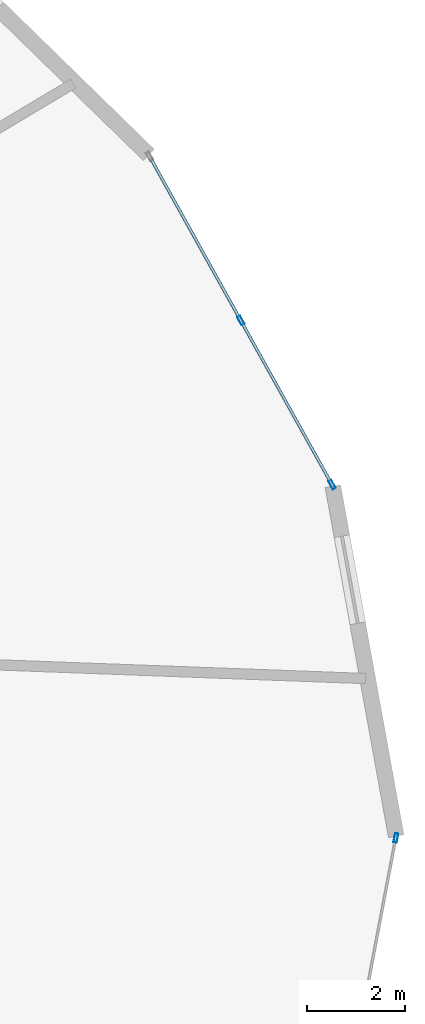
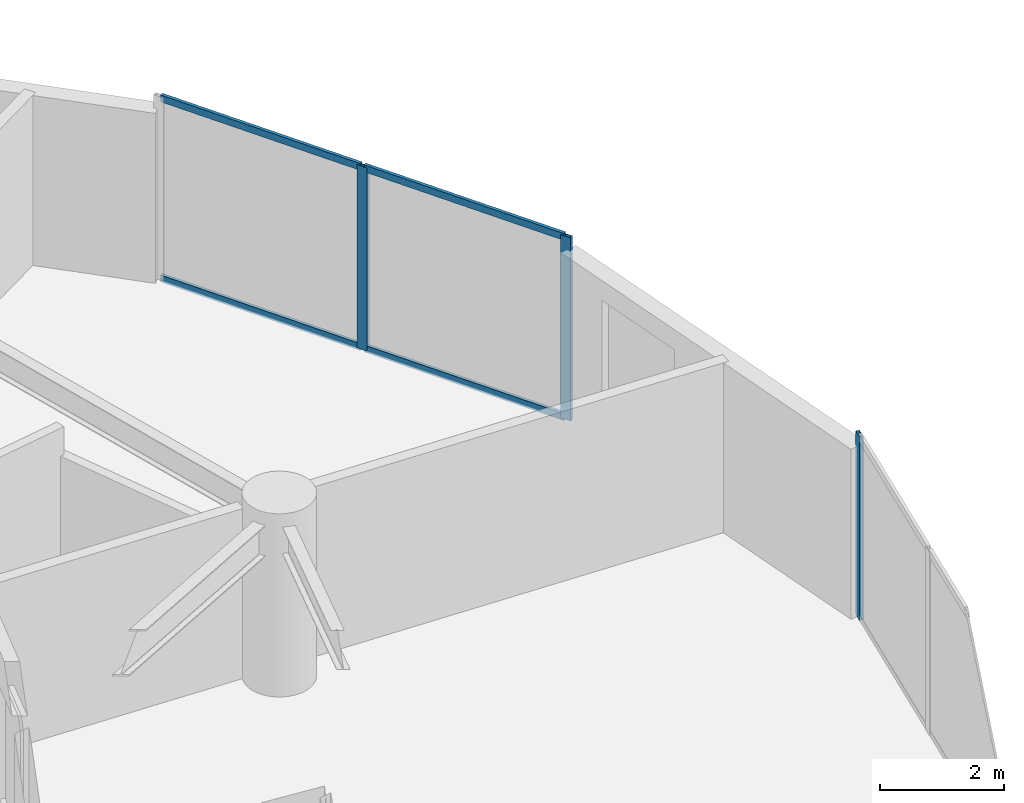
# One storey, part 9 of 22: 7 members, 2 elements without a shape of their own.
"""IFC4 building model written with IfcOpenShell, lengths in metres."""

import ifcopenshell
import ifcopenshell.guid

model = None  # the IFC model being written
_history = None  # IfcOwnerHistory: only IFC2X3 demands one
_inside = {}  # id of a spatial element -> (the spatial element, [elements in it])
_under = {}  # id of a project, library or spatial element -> (it, [spatial elements below it])
_declared = {}  # id of a project -> (the project, [libraries it declares])
_typed = {}  # id of a type object -> (the type object, [elements of that type])
_made_of = {}  # id of a material, layer set ... -> (it, [elements and type objects made of it])


def new_model(schema):
    """Start an empty IFC model of exactly this schema.

    Asked for "IFC4X3", IfcOpenShell would pick the latest addendum, in which some entities
    have other attributes; the version numbers below select the first issue.
    IFC2X3 requires an IfcOwnerHistory on every rooted entity: one is made here for all.
    """
    global model, _history
    if schema == "IFC4X3":
        model = ifcopenshell.file(schema_version=(4, 3, 0, 0))
    else:
        model = ifcopenshell.file(schema=schema)
    _inside.clear()
    _under.clear()
    _declared.clear()
    _typed.clear()
    _made_of.clear()
    _history = None
    if model.schema == "IFC2X3":
        org = make("IfcOrganization", Name="unknown")
        user = make(
            "IfcPersonAndOrganization",
            ThePerson=make("IfcPerson", FamilyName="unknown"),
            TheOrganization=org,
        )
        app = make(
            "IfcApplication",
            ApplicationDeveloper=org,
            Version="unknown",
            ApplicationFullName="unknown",
            ApplicationIdentifier="unknown",
        )
        _history = make(
            "IfcOwnerHistory",
            OwningUser=user,
            OwningApplication=app,
            ChangeAction="ADDED",
            CreationDate=0,
        )
    return model


def make(cls, **values):
    """One entity of the class cls with the attributes given. An attribute that is None is left unset."""
    return model.create_entity(
        cls, **{name: value for name, value in values.items() if value is not None}
    )


def rooted(cls, **values):
    """An entity with a GlobalId (a new one), such as an element, a storey or a relation."""
    return make(cls, GlobalId=ifcopenshell.guid.new(), OwnerHistory=_history, **values)


def si_unit(unit_type, name, prefix=None):
    """IfcSIUnit, for example si_unit("LENGTHUNIT", "METRE", prefix="MILLI")."""
    return make("IfcSIUnit", UnitType=unit_type, Prefix=prefix, Name=name)


def assignment(units):
    """IfcUnitAssignment: the units of a project."""
    return None if units is None else make("IfcUnitAssignment", Units=units)


def point(xyz):
    """IfcCartesianPoint."""
    return None if xyz is None else make("IfcCartesianPoint", Coordinates=xyz)


def direction(xyz):
    """IfcDirection."""
    return None if xyz is None else make("IfcDirection", DirectionRatios=xyz)


def frame(location, z_axis=None, x_axis=None):
    """IfcAxis2Placement3D, a coordinate frame: its origin and axes. An axis left out is left unset."""
    return make(
        "IfcAxis2Placement3D",
        Location=point(location),
        Axis=direction(z_axis),
        RefDirection=direction(x_axis),
    )


def frame_2d(location, x_axis=None):
    """IfcAxis2Placement2D, a coordinate frame in the plane: its origin and x axis."""
    return make(
        "IfcAxis2Placement2D", Location=point(location), RefDirection=direction(x_axis)
    )


def origin():
    """The frame at (0, 0, 0) with its axes left unset."""
    return frame((0.0, 0.0, 0.0))


def origin_2d():
    """The frame at (0, 0) in the plane with its x axis left unset."""
    return frame_2d((0.0, 0.0))


def place(relative_to, where):
    """IfcLocalPlacement: puts the frame where relative to a parent placement (None: the world)."""
    return make(
        "IfcLocalPlacement", PlacementRelTo=relative_to, RelativePlacement=where
    )


def context(
    kind, dimensions, precision=None, world=None, true_north=None, identifier=None
):
    """IfcGeometricRepresentationContext, for example the 3D "Model" context."""
    return make(
        "IfcGeometricRepresentationContext",
        ContextIdentifier=identifier,
        ContextType=kind,
        CoordinateSpaceDimension=dimensions,
        Precision=precision,
        WorldCoordinateSystem=world,
        TrueNorth=true_north,
    )


def subcontext(parent, identifier, kind, view, scale=None):
    """IfcGeometricRepresentationSubContext, for example "Body" below "Model"."""
    return make(
        "IfcGeometricRepresentationSubContext",
        ContextIdentifier=identifier,
        ContextType=kind,
        ParentContext=parent,
        TargetScale=scale,
        TargetView=view,
    )


def project(units=None, contexts=None):
    """IfcProject with its units and contexts."""
    return rooted(
        "IfcProject",
        Name="project",
        RepresentationContexts=contexts,
        UnitsInContext=assignment(units),
    )


def spatial(cls, under=None, at=None, **own):
    """A site, building, storey or space (cls), placed at a placement, below another one or the project."""
    s = rooted(cls, ObjectPlacement=at, **own)
    if under is not None:
        _under.setdefault(under.id(), (under, []))[1].append(s)
    return s


def profile(cls, at=None, kind="AREA", **sizes):
    """A parametric profile (cls). Its sizes go by their IFC names, for example OverallWidth=200.0."""
    return make(cls, ProfileType=kind, Position=at, **sizes)


def hollow_rectangle(**sizes):
    """IfcRectangleHollowProfileDef."""
    return profile("IfcRectangleHollowProfileDef", **sizes)


def extrude(swept, where, along, depth):
    """IfcExtrudedAreaSolid: the profile swept, set in the frame where, extruded along a direction by depth."""
    return make(
        "IfcExtrudedAreaSolid",
        SweptArea=swept,
        Position=where,
        ExtrudedDirection=direction(along),
        Depth=depth,
    )


def shape(context_of_items, identifier, shape_type, items):
    """IfcShapeRepresentation: the items that make up one representation, for example the "Body"."""
    return make(
        "IfcShapeRepresentation",
        ContextOfItems=context_of_items,
        RepresentationIdentifier=identifier,
        RepresentationType=shape_type,
        Items=items,
    )


def source(mapping_origin, context_of_items, identifier, shape_type, items):
    """IfcRepresentationMap: a shape defined once, which mapped items show again and again."""
    return make(
        "IfcRepresentationMap",
        MappingOrigin=mapping_origin,
        MappedRepresentation=shape(context_of_items, identifier, shape_type, items),
    )


def transform(
    local_origin,
    x_axis=None,
    y_axis=None,
    z_axis=None,
    scale=None,
    scale2=None,
    scale3=None,
    uniform=True,
):
    """IfcCartesianTransformationOperator3D, or its non-uniform kind. x_axis, y_axis, z_axis: its Axis1, 2, 3."""
    if uniform:
        return make(
            "IfcCartesianTransformationOperator3D",
            Axis1=direction(x_axis),
            Axis2=direction(y_axis),
            LocalOrigin=point(local_origin),
            Scale=scale,
            Axis3=direction(z_axis),
        )
    return make(
        "IfcCartesianTransformationOperator3DnonUniform",
        Axis1=direction(x_axis),
        Axis2=direction(y_axis),
        LocalOrigin=point(local_origin),
        Scale=scale,
        Axis3=direction(z_axis),
        Scale2=scale2,
        Scale3=scale3,
    )


def mapped(mapping_source, mapping_target):
    """IfcMappedItem: shows the shape of a source again, moved by a transform."""
    return make(
        "IfcMappedItem", MappingSource=mapping_source, MappingTarget=mapping_target
    )


def material(Name=None, Category=None):
    """IfcMaterial."""
    return make("IfcMaterial", Name=Name, Category=Category)


def layer(
    of_material, thickness, ventilated=None, Name=None, Category=None, Priority=None
):
    """IfcMaterialLayer: one layer of a wall or slab, of a material (None: an air gap)."""
    return make(
        "IfcMaterialLayer",
        Material=of_material,
        LayerThickness=thickness,
        IsVentilated=ventilated,
        Name=Name,
        Category=Category,
        Priority=Priority,
    )


def layer_set(layers, Name=None):
    """IfcMaterialLayerSet."""
    return make("IfcMaterialLayerSet", MaterialLayers=layers, LayerSetName=Name)


def material_profile(
    of_material, cross_section, Name=None, Category=None, Priority=None
):
    """IfcMaterialProfile: a cross section and its material."""
    return make(
        "IfcMaterialProfile",
        Name=Name,
        Material=of_material,
        Profile=cross_section,
        Priority=Priority,
        Category=Category,
    )


def profile_set(profiles, Name=None, composite=None):
    """IfcMaterialProfileSet."""
    return make(
        "IfcMaterialProfileSet",
        Name=Name,
        MaterialProfiles=profiles,
        CompositeProfile=composite,
    )


def made_of(thing, what):
    """Note that an element or type object is made of a material, layer set ...; save() writes the relation."""
    if what is not None:
        _made_of.setdefault(what.id(), (what, []))[1].append(thing)
    return thing


def type_object(cls, material=None, **own):
    """A type object (cls), such as IfcWallType, which elements share."""
    return made_of(rooted(cls, **own), material)


def element(
    cls,
    number,
    at=None,
    inside=None,
    cuts=None,
    type_object=None,
    material=None,
    context=None,
    identifier="Body",
    shape_type=None,
    held_by="IfcProductDefinitionShape",
    body=None,
    shapes=None,
    **own,
):
    """One element of the class cls, such as IfcWall. Its Tag is "e" and its number.

    at: its placement. inside: the storey or other place that contains it. cuts: it is an
    opening in that element (IfcRelVoidsElement). A single representation is given by context,
    identifier, shape_type and body (its items); several are given by shapes. held_by: the class
    of the entity that holds the representations. save() writes the other relations.
    """
    e = rooted(cls, Tag="e%d" % number, ObjectPlacement=at, **own)
    if body is not None:
        shapes = [shape(context, identifier, shape_type, body)]
    if shapes is not None:
        e.Representation = make(held_by, Representations=shapes)
    if inside is not None:
        _inside.setdefault(inside.id(), (inside, []))[1].append(e)
    if cuts is not None:
        rooted(
            "IfcRelVoidsElement", RelatingBuildingElement=cuts, RelatedOpeningElement=e
        )
    if type_object is not None:
        _typed.setdefault(type_object.id(), (type_object, []))[1].append(e)
    return made_of(e, material)


def aggregate(whole, parts):
    """IfcRelAggregates: a whole, such as a stair, and the parts it consists of."""
    return rooted("IfcRelAggregates", RelatingObject=whole, RelatedObjects=parts)


def save(model, path):
    """Write the relations noted so far, then the file.

    IfcRelAggregates (storeys below a building ...), IfcRelContainedInSpatialStructure (elements
    in a storey), IfcRelDefinesByType, IfcRelAssociatesMaterial and IfcRelDeclares: one each for
    every whole, place, type object, material and project.
    """
    for whole, parts in _under.values():
        aggregate(whole, parts)
    for where, things in _inside.values():
        rooted(
            "IfcRelContainedInSpatialStructure",
            RelatedElements=things,
            RelatingStructure=where,
        )
    for kind, things in _typed.values():
        rooted("IfcRelDefinesByType", RelatedObjects=things, RelatingType=kind)
    for what, things in _made_of.values():
        rooted("IfcRelAssociatesMaterial", RelatedObjects=things, RelatingMaterial=what)
    for by, libraries in _declared.values():
        rooted("IfcRelDeclares", RelatingContext=by, RelatedDefinitions=libraries)
    model.write(path)


model = new_model("IFC4")

# Units and contexts
model_context = context("Model", 3, precision=1e-05, world=origin(), true_north=direction((0.0, 1.0)))
body_context = subcontext(model_context, "Body", "Model", "MODEL_VIEW")
ifc_project = project(units=[si_unit("LENGTHUNIT", "METRE"), si_unit("AREAUNIT", "SQUARE_METRE"), si_unit("VOLUMEUNIT", "CUBIC_METRE"), si_unit("PLANEANGLEUNIT", "RADIAN"), si_unit("MASSUNIT", "GRAM", prefix="KILO")], contexts=[model_context])

# Site, building, storey
site_placement = place(None, origin())
site = spatial("IfcSite", under=ifc_project, at=site_placement, CompositionType="ELEMENT")
building_placement = place(site_placement, origin())
building = spatial("IfcBuilding", under=site, at=building_placement, Name="Solvirekh Grand Hotel", CompositionType="ELEMENT")
storey_placement = place(building_placement, frame((0.0, 0.0, 78.800048828125)))
storey = spatial("IfcBuildingStorey", under=building, at=storey_placement, Name="L19", CompositionType="ELEMENT", Elevation=78.800048828125)

# Curtain wall, members
ifc_material = material(Name="Anodized Bronze Aluminium 6063-T6", Category="aluminium")
ifc_layer = layer(ifc_material, 0.18994140625)
ifc_layer_set = layer_set([ifc_layer], Name="Anodized Bronze Aluminium 6063-T6")
curtain_wall_type = type_object("IfcCurtainWallType", Name="CW_Sys2_LowZoneFlushBronzeCW", PredefinedType="NOTDEFINED", material=ifc_layer_set)
curtain_wall_1_placement = place(storey_placement, origin())
curtain_wall_1 = element("IfcCurtainWall", 1, at=curtain_wall_1_placement, inside=storey, type_object=curtain_wall_type, Name="L19 unitised bronze-glass curtain wall CW-L19-C03", PredefinedType="NOTDEFINED")
ifc_material_profile_1 = material_profile(ifc_material, hollow_rectangle(XDim=0.06005859375, YDim=0.135009765625, WallThickness=0.00390625, at=origin_2d()), Name="ALU RHS 135X60X4")
ifc_profile_set_1 = profile_set([ifc_material_profile_1], Name="Anodized Bronze Aluminium 6063-T6")
member_type_1 = type_object("IfcMemberType", Name="CWTransom_Sys2", PredefinedType="USERDEFINED", material=ifc_profile_set_1)
shared_shape_1 = source(origin(), body_context, "Body", "SweptSolid", [
    extrude(hollow_rectangle(XDim=0.06005859375, YDim=0.135009765625, WallThickness=0.00390625, at=origin_2d()), origin(), (0.0, 0.0, 1.0), 3.74755859375),
])
member_1_placement = place(storey_placement, frame((24.342529296875, 7.31005859375, 0.030029296875), z_axis=(-0.485797800253, 0.874071219792, 0.0), x_axis=(-0.874071219792, -0.485797800253, 0.0)))
member_1 = element("IfcMember", 2, at=member_1_placement, type_object=member_type_1, Name="U02 transom 2.1", ObjectType="TRANSOM", PredefinedType="USERDEFINED", context=body_context, shape_type="MappedRepresentation", body=[
    mapped(shared_shape_1, transform((0.0, 0.0, 0.0), x_axis=(1.0, 0.0, 0.0), y_axis=(0.0, 1.0, 0.0), z_axis=(0.0, 0.0, 1.0), scale=1.0)),
])
member_2_placement = place(storey_placement, frame((24.342529296875, 7.31005859375, 3.570068359375), z_axis=(-0.485797800253, 0.874071219792, 0.0), x_axis=(-0.874071219792, -0.485797800253, 0.0)))
member_2 = element("IfcMember", 3, at=member_2_placement, type_object=member_type_1, Name="U02 transom 2.2", ObjectType="TRANSOM", PredefinedType="USERDEFINED", context=body_context, shape_type="MappedRepresentation", body=[
    mapped(shared_shape_1, transform((0.0, 0.0, 0.0), x_axis=(1.0, 0.0, 0.0), y_axis=(0.0, 1.0, 0.0), z_axis=(0.0, 0.0, 1.0), scale=1.0)),
])

# Curtain wall, member
curtain_wall_2_placement = place(storey_placement, origin())
curtain_wall_2 = element("IfcCurtainWall", 4, at=curtain_wall_2_placement, inside=storey, type_object=curtain_wall_type, Name="L19 unitised bronze-glass curtain wall CW-L19-C01", PredefinedType="NOTDEFINED")
ifc_material_profile_2 = material_profile(ifc_material, hollow_rectangle(XDim=0.070068359375, YDim=0.18994140625, WallThickness=0.0048828125, at=origin_2d()), Name="ALU RHS 190X70X5")
ifc_profile_set_2 = profile_set([ifc_material_profile_2], Name="Anodized Bronze Aluminium 6063-T6")
member_type_2 = type_object("IfcMemberType", Name="CWMullion_Sys2", PredefinedType="MULLION", material=ifc_profile_set_2)
shared_shape_2 = source(origin(), body_context, "Body", "SweptSolid", [
    extrude(hollow_rectangle(XDim=0.070068359375, YDim=0.18994140625, WallThickness=0.0048828125, at=origin_2d()), origin(), (0.0, 0.0, 1.0), 3.599853515625),
])
member_3_placement = place(storey_placement, frame((27.512451171875, -3.240478515625, 0.0), z_axis=(0.0, 0.0, 1.0), x_axis=(-0.98241306275, 0.186720577707, 0.0)))
member_3 = element("IfcMember", 5, at=member_3_placement, type_object=member_type_2, Name="U02 mullion 3", PredefinedType="MULLION", context=body_context, shape_type="MappedRepresentation", body=[
    mapped(shared_shape_2, transform((0.0, 0.0, 0.0), x_axis=(1.0, 0.0, 0.0), y_axis=(0.0, 1.0, 0.0), z_axis=(0.0, 0.0, 1.0), scale=1.0)),
])
aggregate(curtain_wall_2, [member_3])

# Member
member_4_placement = place(storey_placement, frame((26.214111328125, 3.942626953125, 0.0), z_axis=(0.0, 0.0, 1.0), x_axis=(-0.874083804437, -0.485775156652, 0.0)))
member_4 = element("IfcMember", 6, at=member_4_placement, type_object=member_type_2, Name="U02 mullion 1", PredefinedType="MULLION", context=body_context, shape_type="MappedRepresentation", body=[
    mapped(shared_shape_2, transform((0.0, 0.0, 0.0), x_axis=(1.0, 0.0, 0.0), y_axis=(0.0, 1.0, 0.0), z_axis=(0.0, 0.0, 1.0), scale=1.0)),
])

member_5_placement = place(storey_placement, frame((24.359619140625, 7.279541015625, 0.0), z_axis=(0.0, 0.0, 1.0), x_axis=(-0.874083804437, -0.485775156652, 0.0)))
member_5 = element("IfcMember", 7, at=member_5_placement, type_object=member_type_2, Name="U02 mullion 2", PredefinedType="MULLION", context=body_context, shape_type="MappedRepresentation", body=[
    mapped(shared_shape_2, transform((0.0, 0.0, 0.0), x_axis=(1.0, 0.0, 0.0), y_axis=(0.0, 1.0, 0.0), z_axis=(0.0, 0.0, 1.0), scale=1.0)),
])

shared_shape_3 = source(origin(), body_context, "Body", "SweptSolid", [
    extrude(hollow_rectangle(XDim=0.06005859375, YDim=0.135009765625, WallThickness=0.00390625, at=origin_2d()), origin(), (0.0, 0.0, 1.0), 3.747802734375),
])
member_6_placement = place(storey_placement, frame((26.197021484375, 3.97314453125, 0.030029296875), z_axis=(-0.485770138936, 0.874086593032, 0.0), x_axis=(-0.874086593032, -0.485770138936, 0.0)))
member_6 = element("IfcMember", 8, at=member_6_placement, type_object=member_type_1, Name="U02 transom 1.1", ObjectType="TRANSOM", PredefinedType="USERDEFINED", context=body_context, shape_type="MappedRepresentation", body=[
    mapped(shared_shape_3, transform((0.0, 0.0, 0.0), x_axis=(1.0, 0.0, 0.0), y_axis=(0.0, 1.0, 0.0), z_axis=(0.0, 0.0, 1.0), scale=1.0)),
])

member_7_placement = place(storey_placement, frame((26.197021484375, 3.97314453125, 3.570068359375), z_axis=(-0.485770138936, 0.874086593032, 0.0), x_axis=(-0.874086593032, -0.485770138936, 0.0)))
member_7 = element("IfcMember", 9, at=member_7_placement, type_object=member_type_1, Name="U02 transom 1.2", ObjectType="TRANSOM", PredefinedType="USERDEFINED", context=body_context, shape_type="MappedRepresentation", body=[
    mapped(shared_shape_3, transform((0.0, 0.0, 0.0), x_axis=(1.0, 0.0, 0.0), y_axis=(0.0, 1.0, 0.0), z_axis=(0.0, 0.0, 1.0), scale=1.0)),
])

aggregate(curtain_wall_1, [member_4, member_5, member_6, member_7, member_1, member_2])

save(model, "model.ifc")
